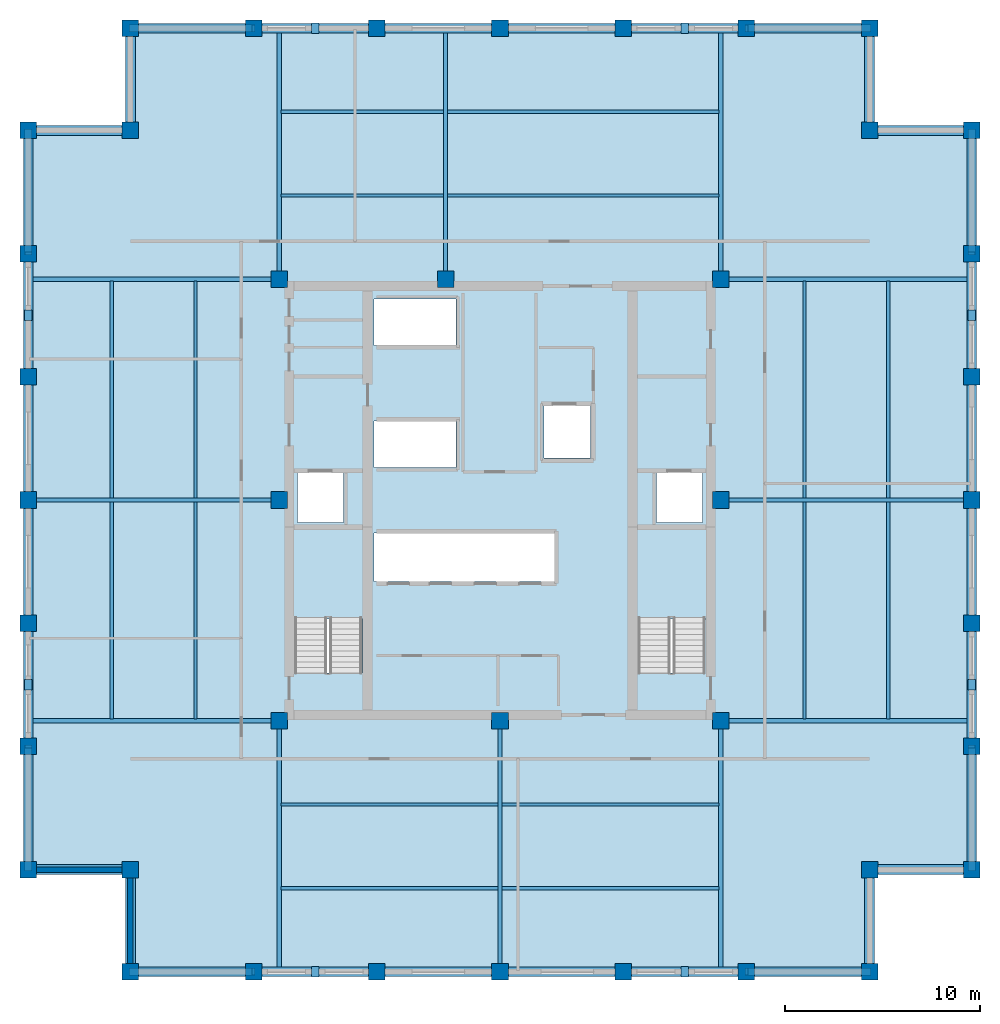
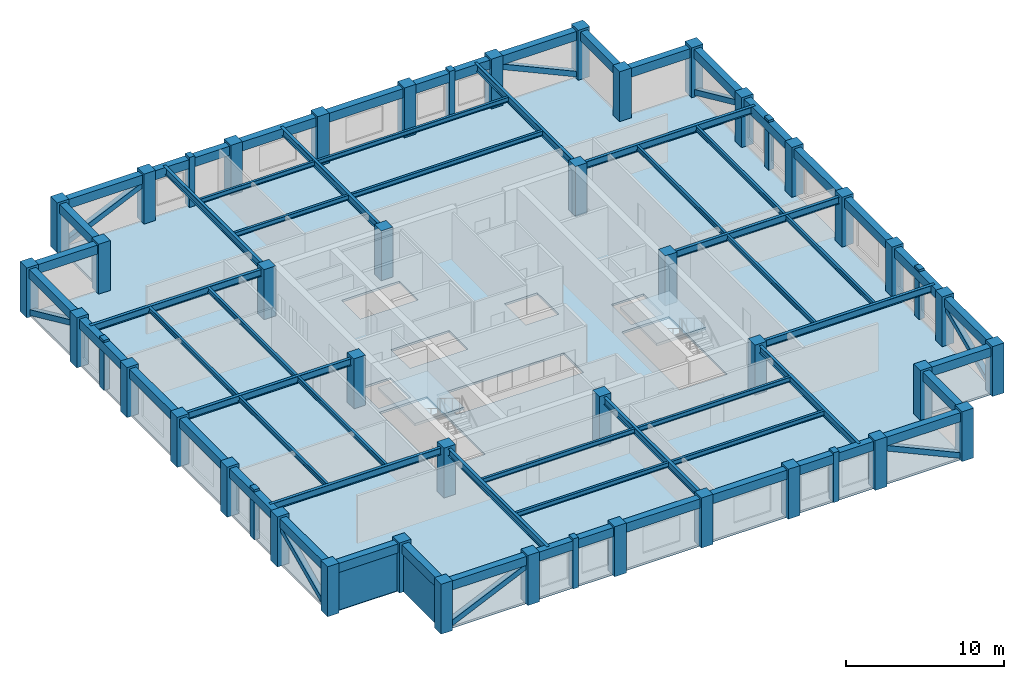
# One storey, part 1 of 6: 60 beams, 40 columns, 16 members, 3 slabs, 2 walls, 2 elements without a shape of their own.
"""IFC4 building model written with IfcOpenShell, lengths in metres."""

from ifc_helpers import new_model, si_unit, direction, frame, frame_2d, origin, origin_2d, place, context, subcontext, project, spatial, polyline, rectangle, hollow_rectangle, i_section, outline, extrude, material, layer, layer_set, material_profile, profile_set, type_object, element, aggregate, save


model = new_model("IFC4")

# Units and contexts
model_context = context("Model", 3, precision=1e-05, world=origin(), true_north=direction((0.0, 1.0)))
body_context = subcontext(model_context, "Body", "Model", "MODEL_VIEW")
ifc_project = project(units=[si_unit("LENGTHUNIT", "METRE"), si_unit("AREAUNIT", "SQUARE_METRE"), si_unit("VOLUMEUNIT", "CUBIC_METRE"), si_unit("PLANEANGLEUNIT", "RADIAN"), si_unit("MASSUNIT", "GRAM", prefix="KILO")], contexts=[model_context])

# Site, building, storey
site_placement = place(None, origin())
site = spatial("IfcSite", under=ifc_project, at=site_placement, CompositionType="ELEMENT")
building_placement = place(site_placement, origin())
building = spatial("IfcBuilding", under=site, at=building_placement, Name="Nhamokura Convention Tower", CompositionType="ELEMENT")
storey_placement = place(building_placement, frame((0.0, 0.0, 217.699951171875)))
storey = spatial("IfcBuildingStorey", under=building, at=storey_placement, Name="L53", CompositionType="ELEMENT", Elevation=217.699951171875)

# Columns
ifc_material_1 = material(Name="Concrete C50/60", Category="concrete")
ifc_material_profile_1 = material_profile(ifc_material_1, rectangle(XDim=0.85009765625, YDim=0.85009765625, at=origin_2d()))
ifc_profile_set_1 = profile_set([ifc_material_profile_1], Name="Concrete C50/60")
column_type = type_object("IfcColumnType", Name="TubeColumn_Z3_850", PredefinedType="COLUMN", material=ifc_profile_set_1)
for number, where, z_axis, x_axis, name in (
    (1, (20.64990234375, 20.64990234375, 0.0), (0.0, 0.0, 1.0), (1.0, 0.0, 0.0), "L53 Core Column CC-SW"),
    (2, (32.0, 20.64990234375, 0.0), (0.0, 0.0, 1.0), (1.0, 0.0, 0.0), "L53 Core Column CC-S"),
    (3, (43.35009765625, 20.64990234375, 0.0), (0.0, 0.0, 1.0), (1.0, 0.0, 0.0), "L53 Core Column CC-SE"),
    (4, (43.35009765625, 32.0, 0.0), (0.0, 0.0, 1.0), (1.0, 0.0, 0.0), "L53 Core Column CC-E"),
    (5, (43.35009765625, 43.35009765625, 0.0), (0.0, 0.0, 1.0), (1.0, 0.0, 0.0), "L53 Core Column CC-NE"),
    (6, (29.199951171875, 43.35009765625, 0.0), (0.0, 0.0, 1.0), (1.0, 0.0, 0.0), "L53 Core Column CC-N"),
    (7, (20.64990234375, 43.35009765625, 0.0), (0.0, 0.0, 1.0), (1.0, 0.0, 0.0), "L53 Core Column CC-NW"),
    (8, (20.64990234375, 32.0, 0.0), (0.0, 0.0, 1.0), (1.0, 0.0, 0.0), "L53 Core Column CC-W"),
    (9, (13.0, 7.75, 0.0), (0.0, 0.0, 1.0), (1.0, 0.0, 0.0), "L53 Perimeter Tube Column SW1"),
    (10, (13.0, 13.0, 0.0), (0.0, 0.0, 1.0), (1.0, 0.0, 0.0), "L53 Perimeter Tube Column SW0"),
    (11, (7.75, 13.0, 0.0), (0.0, 0.0, 1.0), (1.0, 0.0, 0.0), "L53 Perimeter Tube Column SW2"),
    (12, (51.0, 7.75, 0.0), (0.0, 0.0, 1.0), (1.0, 0.0, 0.0), "L53 Perimeter Tube Column SE1"),
    (13, (51.0, 13.0, 0.0), (0.0, 0.0, 1.0), (1.0, 0.0, 0.0), "L53 Perimeter Tube Column SE0"),
    (14, (56.25, 13.0, 0.0), (0.0, 0.0, 1.0), (1.0, 0.0, 0.0), "L53 Perimeter Tube Column SE2"),
    (15, (56.25, 51.0, 0.0), (0.0, 0.0, 1.0), (1.0, 0.0, 0.0), "L53 Perimeter Tube Column NE1"),
    (16, (51.0, 51.0, 0.0), (0.0, 0.0, 1.0), (1.0, 0.0, 0.0), "L53 Perimeter Tube Column NE0"),
    (17, (51.0, 56.25, 0.0), (0.0, 0.0, 1.0), (1.0, 0.0, 0.0), "L53 Perimeter Tube Column NE2"),
    (18, (13.0, 56.25, 0.0), (0.0, 0.0, 1.0), (1.0, 0.0, 0.0), "L53 Perimeter Tube Column NW1"),
    (19, (13.0, 51.0, 0.0), (0.0, 0.0, 1.0), (1.0, 0.0, 0.0), "L53 Perimeter Tube Column NW0"),
    (20, (7.75, 51.0, 0.0), (0.0, 0.0, 1.0), (1.0, 0.0, 0.0), "L53 Perimeter Tube Column NW2"),
    (21, (19.333251953125, 7.75, 0.0), (0.0, 0.0, 1.0), (1.0, 0.0, 0.0), "L53 Perimeter Tube Column S1"),
    (22, (19.333251953125, 56.25, 0.0), (0.0, 0.0, 1.0), (1.0, 0.0, 0.0), "L53 Perimeter Tube Column N1"),
    (23, (7.75, 19.333251953125, 0.0), (0.0, 0.0, 1.0), (1.0, 0.0, 0.0), "L53 Perimeter Tube Column W1"),
    (24, (56.25, 19.333251953125, 0.0), (0.0, 0.0, 1.0), (1.0, 0.0, 0.0), "L53 Perimeter Tube Column E1"),
    (25, (25.666748046875, 7.75, 0.0), (0.0, 0.0, 1.0), (1.0, 0.0, 0.0), "L53 Perimeter Tube Column S2"),
    (26, (25.666748046875, 56.25, 0.0), (0.0, 0.0, 1.0), (1.0, 0.0, 0.0), "L53 Perimeter Tube Column N2"),
    (27, (7.75, 25.666748046875, 0.0), (0.0, 0.0, 1.0), (1.0, 0.0, 0.0), "L53 Perimeter Tube Column W2"),
    (28, (56.25, 25.666748046875, 0.0), (0.0, 0.0, 1.0), (1.0, 0.0, 0.0), "L53 Perimeter Tube Column E2"),
    (29, (32.0, 7.75, 0.0), (0.0, 0.0, 1.0), (1.0, 0.0, 0.0), "L53 Perimeter Tube Column S3"),
    (30, (32.0, 56.25, 0.0), (0.0, 0.0, 1.0), (1.0, 0.0, 0.0), "L53 Perimeter Tube Column N3"),
    (31, (7.75, 32.0, 0.0), (0.0, 0.0, 1.0), (1.0, 0.0, 0.0), "L53 Perimeter Tube Column W3"),
    (32, (56.25, 32.0, 0.0), (0.0, 0.0, 1.0), (1.0, 0.0, 0.0), "L53 Perimeter Tube Column E3"),
    (33, (38.333251953125, 7.75, 0.0), (0.0, 0.0, 1.0), (1.0, 0.0, 0.0), "L53 Perimeter Tube Column S4"),
    (34, (38.333251953125, 56.25, 0.0), (0.0, 0.0, 1.0), (1.0, 0.0, 0.0), "L53 Perimeter Tube Column N4"),
    (35, (7.75, 38.333251953125, 0.0), (0.0, 0.0, 1.0), (1.0, 0.0, 0.0), "L53 Perimeter Tube Column W4"),
    (36, (56.25, 38.333251953125, 0.0), (0.0, 0.0, 1.0), (1.0, 0.0, 0.0), "L53 Perimeter Tube Column E4"),
    (37, (44.666748046875, 7.75, 0.0), (0.0, 0.0, 1.0), (1.0, 0.0, 0.0), "L53 Perimeter Tube Column S5"),
    (38, (44.666748046875, 56.25, 0.0), (0.0, 0.0, 1.0), (1.0, 0.0, 0.0), "L53 Perimeter Tube Column N5"),
    (39, (7.75, 44.666748046875, 0.0), (0.0, 0.0, 1.0), (1.0, 0.0, 0.0), "L53 Perimeter Tube Column W5"),
    (40, (56.25, 44.666748046875, 0.0), (0.0, 0.0, 1.0), (1.0, 0.0, 0.0), "L53 Perimeter Tube Column E5"),
):
    element("IfcColumn", number, at=place(storey_placement, frame(where, z_axis=z_axis, x_axis=x_axis)), inside=storey, type_object=column_type, Name=name, PredefinedType="COLUMN", context=body_context, shape_type="SweptSolid", body=[
        extrude(rectangle(XDim=0.85009765625, YDim=0.85009765625, at=origin_2d()), origin(), (0.0, 0.0, 1.0), 3.85009765625),
    ])

# Members
ifc_material_2 = material(Name="Bronze-pigmented precast concrete C45/55", Category="concrete")
ifc_material_profile_2 = material_profile(ifc_material_2, rectangle(XDim=0.39990234375, YDim=0.550048828125, at=origin_2d()))
ifc_profile_set_2 = profile_set([ifc_material_profile_2], Name="Bronze-pigmented precast concrete C45/55")
member_type_1 = type_object("IfcMemberType", Name="BronzePilaster_550", PredefinedType="USERDEFINED", material=ifc_profile_set_2)
for number, where, z_axis, x_axis, name in (
    (41, (22.5, 7.75, 0.0), (0.0, 0.0, 1.0), (1.0, 0.0, 0.0), "L53 Engaged Frame Pilaster SOUTH 1"),
    (42, (41.5, 7.75, 0.0), (0.0, 0.0, 1.0), (1.0, 0.0, 0.0), "L53 Engaged Frame Pilaster SOUTH 4"),
    (43, (22.5, 56.25, 0.0), (0.0, 0.0, 1.0), (1.0, 0.0, 0.0), "L53 Engaged Frame Pilaster NORTH 1"),
    (44, (41.5, 56.25, 0.0), (0.0, 0.0, 1.0), (1.0, 0.0, 0.0), "L53 Engaged Frame Pilaster NORTH 4"),
    (45, (7.75, 22.5, 0.0), (0.0, 0.0, 1.0), (1.0, 0.0, 0.0), "L53 Engaged Frame Pilaster WEST 1"),
    (46, (7.75, 41.5, 0.0), (0.0, 0.0, 1.0), (1.0, 0.0, 0.0), "L53 Engaged Frame Pilaster WEST 4"),
    (47, (56.25, 22.5, 0.0), (0.0, 0.0, 1.0), (1.0, 0.0, 0.0), "L53 Engaged Frame Pilaster EAST 1"),
    (48, (56.25, 41.5, 0.0), (0.0, 0.0, 1.0), (1.0, 0.0, 0.0), "L53 Engaged Frame Pilaster EAST 4"),
):
    element("IfcMember", number, at=place(storey_placement, frame(where, z_axis=z_axis, x_axis=x_axis)), inside=storey, type_object=member_type_1, Name=name, ObjectType="PILASTER_TRIM", PredefinedType="USERDEFINED", context=body_context, shape_type="SweptSolid", body=[
        extrude(rectangle(XDim=0.39990234375, YDim=0.550048828125, at=origin_2d()), origin(), (0.0, 0.0, 1.0), 3.85009765625),
    ])

# Beams
ifc_material_3 = material(Name="Steel ASTM A992 Gr 50", Category="steel")
ifc_material_profile_3 = material_profile(ifc_material_3, i_section(OverallWidth=0.172119140625, OverallDepth=0.35791015625, WebThickness=0.0078125, FlangeThickness=0.01318359375, at=origin_2d()))
ifc_profile_set_3 = profile_set([ifc_material_profile_3], Name="Steel ASTM A992 Gr 50")
beam_type_1 = type_object("IfcBeamType", Name="FloorJoist_W360X57", PredefinedType="JOIST", material=ifc_profile_set_3)
for number, where, z_axis, x_axis, name in (
    (49, (20.75341796875, 12.050048828125, 3.506103515625), (1.0, 0.0, 0.0), (0.0, 1.0, 0.0), "L53 Composite Floor Joist S1A"),
    (50, (32.103515625, 12.050048828125, 3.506103515625), (1.0, 0.0, 0.0), (0.0, 1.0, 0.0), "L53 Composite Floor Joist S1B"),
    (51, (20.75341796875, 16.35009765625, 3.506103515625), (1.0, 0.0, 0.0), (0.0, 1.0, 0.0), "L53 Composite Floor Joist S2A"),
    (52, (32.103515625, 16.35009765625, 3.506103515625), (1.0, 0.0, 0.0), (0.0, 1.0, 0.0), "L53 Composite Floor Joist S2B"),
):
    element("IfcBeam", number, at=place(storey_placement, frame(where, z_axis=z_axis, x_axis=x_axis)), inside=storey, type_object=beam_type_1, Name=name, PredefinedType="JOIST", context=body_context, shape_type="SweptSolid", body=[
        extrude(i_section(OverallWidth=0.172119140625, OverallDepth=0.35791015625, WebThickness=0.0078125, FlangeThickness=0.01318359375, at=origin_2d()), origin(), (0.0, 0.0, 1.0), 11.14306640625),
    ])
beam_1_placement = place(storey_placement, frame((20.75341796875, 47.64990234375, 3.506103515625), z_axis=(1.0, 0.0, 0.0), x_axis=(0.0, 1.0, 0.0)))
element("IfcBeam", 53, at=beam_1_placement, inside=storey, type_object=beam_type_1, Name="L53 Composite Floor Joist N1A", PredefinedType="JOIST", context=body_context, shape_type="SweptSolid", body=[
    extrude(i_section(OverallWidth=0.172119140625, OverallDepth=0.35791015625, WebThickness=0.0078125, FlangeThickness=0.01318359375, at=origin_2d()), origin(), (0.0, 0.0, 1.0), 8.343017578125),
])
beam_2_placement = place(storey_placement, frame((29.303466796875, 47.64990234375, 3.506103515625), z_axis=(1.0, 0.0, 0.0), x_axis=(0.0, 1.0, 0.0)))
element("IfcBeam", 54, at=beam_2_placement, inside=storey, type_object=beam_type_1, Name="L53 Composite Floor Joist N1B", PredefinedType="JOIST", context=body_context, shape_type="SweptSolid", body=[
    extrude(i_section(OverallWidth=0.172119140625, OverallDepth=0.35791015625, WebThickness=0.0078125, FlangeThickness=0.01318359375, at=origin_2d()), origin(), (0.0, 0.0, 1.0), 13.943115234375),
])
beam_3_placement = place(storey_placement, frame((20.75341796875, 51.949951171875, 3.506103515625), z_axis=(1.0, 0.0, 0.0), x_axis=(0.0, 1.0, 0.0)))
element("IfcBeam", 55, at=beam_3_placement, inside=storey, type_object=beam_type_1, Name="L53 Composite Floor Joist N2A", PredefinedType="JOIST", context=body_context, shape_type="SweptSolid", body=[
    extrude(i_section(OverallWidth=0.172119140625, OverallDepth=0.35791015625, WebThickness=0.0078125, FlangeThickness=0.01318359375, at=origin_2d()), origin(), (0.0, 0.0, 1.0), 8.343017578125),
])
beam_4_placement = place(storey_placement, frame((29.303466796875, 51.949951171875, 3.506103515625), z_axis=(1.0, 0.0, 0.0), x_axis=(0.0, 1.0, 0.0)))
element("IfcBeam", 56, at=beam_4_placement, inside=storey, type_object=beam_type_1, Name="L53 Composite Floor Joist N2B", PredefinedType="JOIST", context=body_context, shape_type="SweptSolid", body=[
    extrude(i_section(OverallWidth=0.172119140625, OverallDepth=0.35791015625, WebThickness=0.0078125, FlangeThickness=0.01318359375, at=origin_2d()), origin(), (0.0, 0.0, 1.0), 13.943115234375),
])
for number, where, z_axis, x_axis, name in (
    (57, (12.050048828125, 20.75341796875, 3.506103515625), (0.0, 1.0, 0.0), (-1.0, 0.0, 0.0), "L53 Composite Floor Joist W1A"),
    (58, (12.050048828125, 32.103515625, 3.506103515625), (0.0, 1.0, 0.0), (-1.0, 0.0, 0.0), "L53 Composite Floor Joist W1B"),
    (59, (16.35009765625, 20.75341796875, 3.506103515625), (0.0, 1.0, 0.0), (-1.0, 0.0, 0.0), "L53 Composite Floor Joist W2A"),
    (60, (16.35009765625, 32.103515625, 3.506103515625), (0.0, 1.0, 0.0), (-1.0, 0.0, 0.0), "L53 Composite Floor Joist W2B"),
    (61, (47.64990234375, 20.75341796875, 3.506103515625), (0.0, 1.0, 0.0), (-1.0, 0.0, 0.0), "L53 Composite Floor Joist E1A"),
    (62, (47.64990234375, 32.103515625, 3.506103515625), (0.0, 1.0, 0.0), (-1.0, 0.0, 0.0), "L53 Composite Floor Joist E1B"),
    (63, (51.949951171875, 20.75341796875, 3.506103515625), (0.0, 1.0, 0.0), (-1.0, 0.0, 0.0), "L53 Composite Floor Joist E2A"),
    (64, (51.949951171875, 32.103515625, 3.506103515625), (0.0, 1.0, 0.0), (-1.0, 0.0, 0.0), "L53 Composite Floor Joist E2B"),
):
    element("IfcBeam", number, at=place(storey_placement, frame(where, z_axis=z_axis, x_axis=x_axis)), inside=storey, type_object=beam_type_1, Name=name, PredefinedType="JOIST", context=body_context, shape_type="SweptSolid", body=[
        extrude(i_section(OverallWidth=0.172119140625, OverallDepth=0.35791015625, WebThickness=0.0078125, FlangeThickness=0.01318359375, at=origin_2d()), origin(), (0.0, 0.0, 1.0), 11.14306640625),
    ])
ifc_material_4 = material(Name="Steel ASTM A992 Gr 50", Category="steel")
ifc_material_profile_4 = material_profile(ifc_material_4, i_section(OverallWidth=0.2109375, OverallDepth=0.5390625, WebThickness=0.01171875, FlangeThickness=0.018798828125, at=origin_2d()))
ifc_profile_set_4 = profile_set([ifc_material_profile_4], Name="Steel ASTM A992 Gr 50")
beam_type_2 = type_object("IfcBeamType", Name="PrimaryGirder_W530X109", PredefinedType="BEAM", material=ifc_profile_set_4)
for number, where, z_axis, x_axis, name in (
    (65, (20.64990234375, 7.75, 3.41552734375), (0.0, 1.0, 0.0), (-1.0, 0.0, 0.0), "L53 Primary Floor Girder PG-S1"),
    (66, (32.0, 7.75, 3.41552734375), (0.0, 1.0, 0.0), (-1.0, 0.0, 0.0), "L53 Primary Floor Girder PG-S2"),
    (67, (43.35009765625, 7.75, 3.41552734375), (0.0, 1.0, 0.0), (-1.0, 0.0, 0.0), "L53 Primary Floor Girder PG-S3"),
    (68, (20.64990234375, 43.35009765625, 3.41552734375), (0.0, 1.0, 0.0), (-1.0, 0.0, 0.0), "L53 Primary Floor Girder PG-N1"),
    (69, (29.199951171875, 43.35009765625, 3.41552734375), (0.0, 1.0, 0.0), (-1.0, 0.0, 0.0), "L53 Primary Floor Girder PG-N2"),
    (70, (43.35009765625, 43.35009765625, 3.41552734375), (0.0, 1.0, 0.0), (-1.0, 0.0, 0.0), "L53 Primary Floor Girder PG-N3"),
    (71, (7.75, 20.64990234375, 3.41552734375), (1.0, 0.0, 0.0), (0.0, 1.0, 0.0), "L53 Primary Floor Girder PG-W1"),
    (72, (7.75, 32.0, 3.41552734375), (1.0, 0.0, 0.0), (0.0, 1.0, 0.0), "L53 Primary Floor Girder PG-W2"),
    (73, (7.75, 43.35009765625, 3.41552734375), (1.0, 0.0, 0.0), (0.0, 1.0, 0.0), "L53 Primary Floor Girder PG-W3"),
    (74, (43.35009765625, 20.64990234375, 3.41552734375), (1.0, 0.0, 0.0), (0.0, 1.0, 0.0), "L53 Primary Floor Girder PG-E1"),
    (75, (43.35009765625, 32.0, 3.41552734375), (1.0, 0.0, 0.0), (0.0, 1.0, 0.0), "L53 Primary Floor Girder PG-E2"),
    (76, (43.35009765625, 43.35009765625, 3.41552734375), (1.0, 0.0, 0.0), (0.0, 1.0, 0.0), "L53 Primary Floor Girder PG-E3"),
):
    element("IfcBeam", number, at=place(storey_placement, frame(where, z_axis=z_axis, x_axis=x_axis)), inside=storey, type_object=beam_type_2, Name=name, PredefinedType="BEAM", context=body_context, shape_type="SweptSolid", body=[
        extrude(i_section(OverallWidth=0.2109375, OverallDepth=0.5390625, WebThickness=0.01171875, FlangeThickness=0.018798828125, at=origin_2d()), origin(), (0.0, 0.0, 1.0), 12.89990234375),
    ])

# Members
ifc_material_5 = material(Name="Steel ASTM A572 Gr 50", Category="steel")
ifc_material_profile_5 = material_profile(ifc_material_5, hollow_rectangle(XDim=0.39990234375, YDim=0.39990234375, WallThickness=0.02001953125, at=origin_2d()))
ifc_profile_set_5 = profile_set([ifc_material_profile_5], Name="Steel ASTM A572 Gr 50")
member_type_2 = type_object("IfcMemberType", Name="TubeBrace_HSS400", PredefinedType="BRACE", material=ifc_profile_set_5)
for number, where, z_axis, x_axis, name in (
    (77, (13.0, 7.75, 0.150146484375), (0.910027379678, 0.0, 0.41454814948), (0.0, 1.0, 0.0), "L53 Perimeter Tube Brace SOUTH Bay 0"),
    (78, (51.0, 7.75, 0.150146484375), (-0.910027379678, 0.0, 0.41454814948), (0.0, -1.0, 0.0), "L53 Perimeter Tube Brace SOUTH Bay 5"),
    (79, (13.0, 56.25, 0.150146484375), (0.910027379678, 0.0, 0.41454814948), (0.0, 1.0, 0.0), "L53 Perimeter Tube Brace NORTH Bay 0"),
    (80, (51.0, 56.25, 0.150146484375), (-0.910027379678, 0.0, 0.41454814948), (0.0, -1.0, 0.0), "L53 Perimeter Tube Brace NORTH Bay 5"),
    (81, (7.75, 13.0, 0.150146484375), (0.0, 0.910027379678, 0.41454814948), (-1.0, 0.0, 0.0), "L53 Perimeter Tube Brace WEST Bay 0"),
    (82, (7.75, 51.0, 0.150146484375), (0.0, -0.910027379678, 0.41454814948), (1.0, 0.0, 0.0), "L53 Perimeter Tube Brace WEST Bay 5"),
    (83, (56.25, 13.0, 0.150146484375), (0.0, 0.910027379678, 0.41454814948), (-1.0, 0.0, 0.0), "L53 Perimeter Tube Brace EAST Bay 0"),
    (84, (56.25, 51.0, 0.150146484375), (0.0, -0.910027379678, 0.41454814948), (1.0, 0.0, 0.0), "L53 Perimeter Tube Brace EAST Bay 5"),
):
    element("IfcMember", number, at=place(storey_placement, frame(where, z_axis=z_axis, x_axis=x_axis)), inside=storey, type_object=member_type_2, Name=name, PredefinedType="BRACE", context=body_context, shape_type="SweptSolid", body=[
        extrude(hollow_rectangle(XDim=0.39990234375, YDim=0.39990234375, WallThickness=0.02001953125, at=origin_2d()), origin(), (0.0, 0.0, 1.0), 6.95947265625),
    ])

# Beams
ifc_material_6 = material(Name="Concrete C50/60", Category="concrete")
ifc_material_profile_6 = material_profile(ifc_material_6, rectangle(XDim=0.5, YDim=0.699951171875, at=origin_2d()))
ifc_profile_set_6 = profile_set([ifc_material_profile_6], Name="Concrete C50/60")
beam_type_3 = type_object("IfcBeamType", Name="TubeSpandrel_700", PredefinedType="SPANDREL", material=ifc_profile_set_6)
beam_5_placement = place(storey_placement, frame((13.0, 7.75, 3.3349609375), z_axis=(1.0, 0.0, 0.0), x_axis=(0.0, 1.0, 0.0)))
element("IfcBeam", 85, at=beam_5_placement, inside=storey, type_object=beam_type_3, Name="L53 Perimeter Spandrel SOUTH 1", PredefinedType="SPANDREL", context=body_context, shape_type="SweptSolid", body=[
    extrude(rectangle(XDim=0.5, YDim=0.699951171875, at=origin_2d()), origin(), (0.0, 0.0, 1.0), 6.333251953125),
])
beam_6_placement = place(storey_placement, frame((19.333251953125, 7.75, 3.3349609375), z_axis=(1.0, 0.0, 0.0), x_axis=(0.0, 1.0, 0.0)))
element("IfcBeam", 86, at=beam_6_placement, inside=storey, type_object=beam_type_3, Name="L53 Perimeter Spandrel SOUTH 2", PredefinedType="SPANDREL", context=body_context, shape_type="SweptSolid", body=[
    extrude(rectangle(XDim=0.5, YDim=0.699951171875, at=origin_2d()), origin(), (0.0, 0.0, 1.0), 6.33349609375),
])
for number, where, z_axis, x_axis, name in (
    (87, (25.666748046875, 7.75, 3.3349609375), (1.0, 0.0, 0.0), (0.0, 1.0, 0.0), "L53 Perimeter Spandrel SOUTH 3"),
    (88, (32.0, 7.75, 3.3349609375), (1.0, 0.0, 0.0), (0.0, 1.0, 0.0), "L53 Perimeter Spandrel SOUTH 4"),
):
    element("IfcBeam", number, at=place(storey_placement, frame(where, z_axis=z_axis, x_axis=x_axis)), inside=storey, type_object=beam_type_3, Name=name, PredefinedType="SPANDREL", context=body_context, shape_type="SweptSolid", body=[
        extrude(rectangle(XDim=0.5, YDim=0.699951171875, at=origin_2d()), origin(), (0.0, 0.0, 1.0), 6.333251953125),
    ])
beam_7_placement = place(storey_placement, frame((38.333251953125, 7.75, 3.3349609375), z_axis=(1.0, 0.0, 0.0), x_axis=(0.0, 1.0, 0.0)))
element("IfcBeam", 89, at=beam_7_placement, inside=storey, type_object=beam_type_3, Name="L53 Perimeter Spandrel SOUTH 5", PredefinedType="SPANDREL", context=body_context, shape_type="SweptSolid", body=[
    extrude(rectangle(XDim=0.5, YDim=0.699951171875, at=origin_2d()), origin(), (0.0, 0.0, 1.0), 6.33349609375),
])
for number, where, z_axis, x_axis, name in (
    (90, (44.666748046875, 7.75, 3.3349609375), (1.0, 0.0, 0.0), (0.0, 1.0, 0.0), "L53 Perimeter Spandrel SOUTH 6"),
    (91, (13.0, 56.25, 3.3349609375), (1.0, 0.0, 0.0), (0.0, 1.0, 0.0), "L53 Perimeter Spandrel NORTH 1"),
):
    element("IfcBeam", number, at=place(storey_placement, frame(where, z_axis=z_axis, x_axis=x_axis)), inside=storey, type_object=beam_type_3, Name=name, PredefinedType="SPANDREL", context=body_context, shape_type="SweptSolid", body=[
        extrude(rectangle(XDim=0.5, YDim=0.699951171875, at=origin_2d()), origin(), (0.0, 0.0, 1.0), 6.333251953125),
    ])
beam_8_placement = place(storey_placement, frame((19.333251953125, 56.25, 3.3349609375), z_axis=(1.0, 0.0, 0.0), x_axis=(0.0, 1.0, 0.0)))
element("IfcBeam", 92, at=beam_8_placement, inside=storey, type_object=beam_type_3, Name="L53 Perimeter Spandrel NORTH 2", PredefinedType="SPANDREL", context=body_context, shape_type="SweptSolid", body=[
    extrude(rectangle(XDim=0.5, YDim=0.699951171875, at=origin_2d()), origin(), (0.0, 0.0, 1.0), 6.33349609375),
])
for number, where, z_axis, x_axis, name in (
    (93, (25.666748046875, 56.25, 3.3349609375), (1.0, 0.0, 0.0), (0.0, 1.0, 0.0), "L53 Perimeter Spandrel NORTH 3"),
    (94, (32.0, 56.25, 3.3349609375), (1.0, 0.0, 0.0), (0.0, 1.0, 0.0), "L53 Perimeter Spandrel NORTH 4"),
):
    element("IfcBeam", number, at=place(storey_placement, frame(where, z_axis=z_axis, x_axis=x_axis)), inside=storey, type_object=beam_type_3, Name=name, PredefinedType="SPANDREL", context=body_context, shape_type="SweptSolid", body=[
        extrude(rectangle(XDim=0.5, YDim=0.699951171875, at=origin_2d()), origin(), (0.0, 0.0, 1.0), 6.333251953125),
    ])
beam_9_placement = place(storey_placement, frame((38.333251953125, 56.25, 3.3349609375), z_axis=(1.0, 0.0, 0.0), x_axis=(0.0, 1.0, 0.0)))
element("IfcBeam", 95, at=beam_9_placement, inside=storey, type_object=beam_type_3, Name="L53 Perimeter Spandrel NORTH 5", PredefinedType="SPANDREL", context=body_context, shape_type="SweptSolid", body=[
    extrude(rectangle(XDim=0.5, YDim=0.699951171875, at=origin_2d()), origin(), (0.0, 0.0, 1.0), 6.33349609375),
])
for number, where, z_axis, x_axis, name in (
    (96, (44.666748046875, 56.25, 3.3349609375), (1.0, 0.0, 0.0), (0.0, 1.0, 0.0), "L53 Perimeter Spandrel NORTH 6"),
    (97, (7.75, 13.0, 3.3349609375), (0.0, 1.0, 0.0), (-1.0, 0.0, 0.0), "L53 Perimeter Spandrel WEST 1"),
):
    element("IfcBeam", number, at=place(storey_placement, frame(where, z_axis=z_axis, x_axis=x_axis)), inside=storey, type_object=beam_type_3, Name=name, PredefinedType="SPANDREL", context=body_context, shape_type="SweptSolid", body=[
        extrude(rectangle(XDim=0.5, YDim=0.699951171875, at=origin_2d()), origin(), (0.0, 0.0, 1.0), 6.333251953125),
    ])
beam_10_placement = place(storey_placement, frame((7.75, 19.333251953125, 3.3349609375), z_axis=(0.0, 1.0, 0.0), x_axis=(-1.0, 0.0, 0.0)))
element("IfcBeam", 98, at=beam_10_placement, inside=storey, type_object=beam_type_3, Name="L53 Perimeter Spandrel WEST 2", PredefinedType="SPANDREL", context=body_context, shape_type="SweptSolid", body=[
    extrude(rectangle(XDim=0.5, YDim=0.699951171875, at=origin_2d()), origin(), (0.0, 0.0, 1.0), 6.33349609375),
])
for number, where, z_axis, x_axis, name in (
    (99, (7.75, 25.666748046875, 3.3349609375), (0.0, 1.0, 0.0), (-1.0, 0.0, 0.0), "L53 Perimeter Spandrel WEST 3"),
    (100, (7.75, 32.0, 3.3349609375), (0.0, 1.0, 0.0), (-1.0, 0.0, 0.0), "L53 Perimeter Spandrel WEST 4"),
):
    element("IfcBeam", number, at=place(storey_placement, frame(where, z_axis=z_axis, x_axis=x_axis)), inside=storey, type_object=beam_type_3, Name=name, PredefinedType="SPANDREL", context=body_context, shape_type="SweptSolid", body=[
        extrude(rectangle(XDim=0.5, YDim=0.699951171875, at=origin_2d()), origin(), (0.0, 0.0, 1.0), 6.333251953125),
    ])
beam_11_placement = place(storey_placement, frame((7.75, 38.333251953125, 3.3349609375), z_axis=(0.0, 1.0, 0.0), x_axis=(-1.0, 0.0, 0.0)))
element("IfcBeam", 101, at=beam_11_placement, inside=storey, type_object=beam_type_3, Name="L53 Perimeter Spandrel WEST 5", PredefinedType="SPANDREL", context=body_context, shape_type="SweptSolid", body=[
    extrude(rectangle(XDim=0.5, YDim=0.699951171875, at=origin_2d()), origin(), (0.0, 0.0, 1.0), 6.33349609375),
])
for number, where, z_axis, x_axis, name in (
    (102, (7.75, 44.666748046875, 3.3349609375), (0.0, 1.0, 0.0), (-1.0, 0.0, 0.0), "L53 Perimeter Spandrel WEST 6"),
    (103, (56.25, 13.0, 3.3349609375), (0.0, 1.0, 0.0), (-1.0, 0.0, 0.0), "L53 Perimeter Spandrel EAST 1"),
):
    element("IfcBeam", number, at=place(storey_placement, frame(where, z_axis=z_axis, x_axis=x_axis)), inside=storey, type_object=beam_type_3, Name=name, PredefinedType="SPANDREL", context=body_context, shape_type="SweptSolid", body=[
        extrude(rectangle(XDim=0.5, YDim=0.699951171875, at=origin_2d()), origin(), (0.0, 0.0, 1.0), 6.333251953125),
    ])
beam_12_placement = place(storey_placement, frame((56.25, 19.333251953125, 3.3349609375), z_axis=(0.0, 1.0, 0.0), x_axis=(-1.0, 0.0, 0.0)))
element("IfcBeam", 104, at=beam_12_placement, inside=storey, type_object=beam_type_3, Name="L53 Perimeter Spandrel EAST 2", PredefinedType="SPANDREL", context=body_context, shape_type="SweptSolid", body=[
    extrude(rectangle(XDim=0.5, YDim=0.699951171875, at=origin_2d()), origin(), (0.0, 0.0, 1.0), 6.33349609375),
])
for number, where, z_axis, x_axis, name in (
    (105, (56.25, 25.666748046875, 3.3349609375), (0.0, 1.0, 0.0), (-1.0, 0.0, 0.0), "L53 Perimeter Spandrel EAST 3"),
    (106, (56.25, 32.0, 3.3349609375), (0.0, 1.0, 0.0), (-1.0, 0.0, 0.0), "L53 Perimeter Spandrel EAST 4"),
):
    element("IfcBeam", number, at=place(storey_placement, frame(where, z_axis=z_axis, x_axis=x_axis)), inside=storey, type_object=beam_type_3, Name=name, PredefinedType="SPANDREL", context=body_context, shape_type="SweptSolid", body=[
        extrude(rectangle(XDim=0.5, YDim=0.699951171875, at=origin_2d()), origin(), (0.0, 0.0, 1.0), 6.333251953125),
    ])
beam_13_placement = place(storey_placement, frame((56.25, 38.333251953125, 3.3349609375), z_axis=(0.0, 1.0, 0.0), x_axis=(-1.0, 0.0, 0.0)))
element("IfcBeam", 107, at=beam_13_placement, inside=storey, type_object=beam_type_3, Name="L53 Perimeter Spandrel EAST 5", PredefinedType="SPANDREL", context=body_context, shape_type="SweptSolid", body=[
    extrude(rectangle(XDim=0.5, YDim=0.699951171875, at=origin_2d()), origin(), (0.0, 0.0, 1.0), 6.33349609375),
])
beam_14_placement = place(storey_placement, frame((56.25, 44.666748046875, 3.3349609375), z_axis=(0.0, 1.0, 0.0), x_axis=(-1.0, 0.0, 0.0)))
element("IfcBeam", 108, at=beam_14_placement, inside=storey, type_object=beam_type_3, Name="L53 Perimeter Spandrel EAST 6", PredefinedType="SPANDREL", context=body_context, shape_type="SweptSolid", body=[
    extrude(rectangle(XDim=0.5, YDim=0.699951171875, at=origin_2d()), origin(), (0.0, 0.0, 1.0), 6.333251953125),
])
for number, where, z_axis, x_axis, name in (
    (109, (13.0, 7.75, 3.3349609375), (0.0, 1.0, 0.0), (-1.0, 0.0, 0.0), "L53 Notch Spandrel SW1"),
    (110, (13.0, 13.0, 3.3349609375), (-1.0, 0.0, 0.0), (0.0, -1.0, 0.0), "L53 Notch Spandrel SW2"),
    (111, (51.0, 7.75, 3.3349609375), (0.0, 1.0, 0.0), (-1.0, 0.0, 0.0), "L53 Notch Spandrel SE1"),
    (112, (51.0, 13.0, 3.3349609375), (1.0, 0.0, 0.0), (0.0, 1.0, 0.0), "L53 Notch Spandrel SE2"),
    (113, (56.25, 51.0, 3.3349609375), (-1.0, 0.0, 0.0), (0.0, -1.0, 0.0), "L53 Notch Spandrel NE1"),
    (114, (51.0, 51.0, 3.3349609375), (0.0, 1.0, 0.0), (-1.0, 0.0, 0.0), "L53 Notch Spandrel NE2"),
    (115, (13.0, 56.25, 3.3349609375), (0.0, -1.0, 0.0), (1.0, 0.0, 0.0), "L53 Notch Spandrel NW1"),
    (116, (13.0, 51.0, 3.3349609375), (-1.0, 0.0, 0.0), (0.0, -1.0, 0.0), "L53 Notch Spandrel NW2"),
):
    element("IfcBeam", number, at=place(storey_placement, frame(where, z_axis=z_axis, x_axis=x_axis)), inside=storey, type_object=beam_type_3, Name=name, PredefinedType="SPANDREL", context=body_context, shape_type="SweptSolid", body=[
        extrude(rectangle(XDim=0.5, YDim=0.699951171875, at=origin_2d()), origin(), (0.0, 0.0, 1.0), 5.25),
    ])

# Slab
ifc_material_7 = material(Name="Concrete C40/50", Category="concrete")
ifc_layer_1 = layer(ifc_material_7, 0.1650390625)
ifc_layer_set_1 = layer_set([ifc_layer_1], Name="OfficeFloorSlab_165")
slab_type_1 = type_object("IfcSlabType", Name="OfficeFloorSlab_165", PredefinedType="FLOOR", material=ifc_layer_set_1)
slab_1_placement = place(storey_placement, frame((0.0, 0.0, -0.1650390625)))
element("IfcSlab", 117, at=slab_1_placement, inside=storey, type_object=slab_type_1, Name="L53 Structural Floor Slab", PredefinedType="FLOOR", context=body_context, shape_type="SweptSolid", body=[
    extrude(outline(polyline([(13.0, 7.75), (51.0, 7.75), (51.0, 13.0), (56.25, 13.0), (56.25, 51.0), (51.0, 51.0), (51.0, 56.25), (13.0, 56.25), (13.0, 51.0), (7.75, 51.0), (7.75, 13.0), (13.0, 13.0), (13.0, 7.75)]), holes=[polyline([(24.89990234375, 23.10009765625), (24.89990234375, 30.449951171875), (21.449951171875, 30.449951171875), (21.449951171875, 23.10009765625), (24.89990234375, 23.10009765625)]), polyline([(42.550048828125, 23.10009765625), (42.550048828125, 30.449951171875), (39.10009765625, 30.449951171875), (39.10009765625, 23.10009765625), (42.550048828125, 23.10009765625)]), polyline([(21.60009765625, 30.85009765625), (23.949951171875, 30.85009765625), (23.949951171875, 33.39990234375), (21.60009765625, 33.39990234375), (21.60009765625, 30.85009765625)]), polyline([(40.050048828125, 30.85009765625), (42.39990234375, 30.85009765625), (42.39990234375, 33.39990234375), (40.050048828125, 33.39990234375), (40.050048828125, 30.85009765625)]), polyline([(34.25, 34.14990234375), (36.64990234375, 34.14990234375), (36.64990234375, 36.85009765625), (34.25, 36.85009765625), (34.25, 34.14990234375)]), polyline([(25.52001953125, 27.800048828125), (34.800048828125, 27.800048828125), (34.800048828125, 30.300048828125), (25.52001953125, 30.300048828125), (25.52001953125, 27.800048828125)]), polyline([(25.52001953125, 33.679931640625), (29.75, 33.679931640625), (29.75, 36.050048828125), (25.52001953125, 36.050048828125), (25.52001953125, 33.679931640625)]), polyline([(25.52001953125, 39.949951171875), (29.75, 39.949951171875), (29.75, 42.320068359375), (25.52001953125, 42.320068359375), (25.52001953125, 39.949951171875)])]), origin(), (0.0, 0.0, 1.0), 0.1650390625),
])

# Stair, slab
ifc_material_8 = material(Name="Concrete C40/50", Category="concrete")
stair_type = type_object("IfcStairType", Name="TowerCoreStair_1650", PredefinedType="HALF_TURN_STAIR", material=ifc_material_8)
stair_1_placement = place(storey_placement, origin())
stair_1 = element("IfcStair", 118, at=stair_1_placement, inside=storey, type_object=stair_type, Name="L53 West Core Smokeproof Stair ST-01", PredefinedType="HALF_TURN_STAIR")
ifc_material_9 = material(Name="Concrete C40/50", Category="concrete")
ifc_layer_2 = layer(ifc_material_9, 0.199951171875)
ifc_layer_set_2 = layer_set([ifc_layer_2], Name="StairLandingSlab_200")
slab_type_2 = type_object("IfcSlabType", Name="StairLandingSlab_200", PredefinedType="LANDING", material=ifc_layer_set_2)
slab_2_placement = place(storey_placement, frame((0.0, 0.0, 1.72509765625)))
slab_2 = element("IfcSlab", 119, at=slab_2_placement, type_object=slab_type_2, Name="ST-01 landing 1", PredefinedType="LANDING", context=body_context, shape_type="SweptSolid", body=[
    extrude(outline(polyline([(24.97998046875, 25.8701171875), (24.97998046875, 30.530029296875), (21.3701171875, 30.530029296875), (21.3701171875, 25.8701171875), (24.97998046875, 25.8701171875)])), origin(), (0.0, 0.0, 1.0), 0.199951171875),
])
aggregate(stair_1, [slab_2])

stair_2_placement = place(storey_placement, origin())
stair_2 = element("IfcStair", 120, at=stair_2_placement, inside=storey, type_object=stair_type, Name="L53 East Core Smokeproof Stair ST-02", PredefinedType="HALF_TURN_STAIR")
slab_3_placement = place(storey_placement, frame((0.0, 0.0, 1.72509765625)))
slab_3 = element("IfcSlab", 121, at=slab_3_placement, type_object=slab_type_2, Name="ST-02 landing 1", PredefinedType="LANDING", context=body_context, shape_type="SweptSolid", body=[
    extrude(outline(polyline([(42.6298828125, 25.8701171875), (42.6298828125, 30.530029296875), (39.02001953125, 30.530029296875), (39.02001953125, 25.8701171875), (42.6298828125, 25.8701171875)])), origin(), (0.0, 0.0, 1.0), 0.199951171875),
])
aggregate(stair_2, [slab_3])

# Walls
ifc_material_10 = material(Name="Bronze-pigmented precast concrete C45/55", Category="concrete")
ifc_layer_3 = layer(ifc_material_10, 0.280029296875)
ifc_layer_set_3 = layer_set([ifc_layer_3], Name="BronzePrecastSpandrel_280")
wall_type = type_object("IfcWallType", Name="BronzePrecastSpandrel_280", PredefinedType="USERDEFINED", material=ifc_layer_set_3)
for number, where, z_axis, x_axis, name in (
    (122, (13.0, 7.75, 0.0), (0.0, 0.0, 1.0), (0.0, 1.0, 0.0), "L53 Notched Corner Wall SW1"),
    (123, (13.0, 13.0, 0.0), (0.0, 0.0, 1.0), (-1.0, 0.0, 0.0), "L53 Notched Corner Wall SW2"),
):
    element("IfcWall", number, at=place(storey_placement, frame(where, z_axis=z_axis, x_axis=x_axis)), inside=storey, type_object=wall_type, Name=name, ObjectType="SPANDREL_WALL", PredefinedType="USERDEFINED", context=body_context, shape_type="SweptSolid", body=[
        extrude(rectangle(XDim=5.25, YDim=0.280029296875, at=frame_2d((2.625, 0.0))), origin(), (0.0, 0.0, 1.0), 2.985107421875),
    ])

save(model, "model.ifc")
